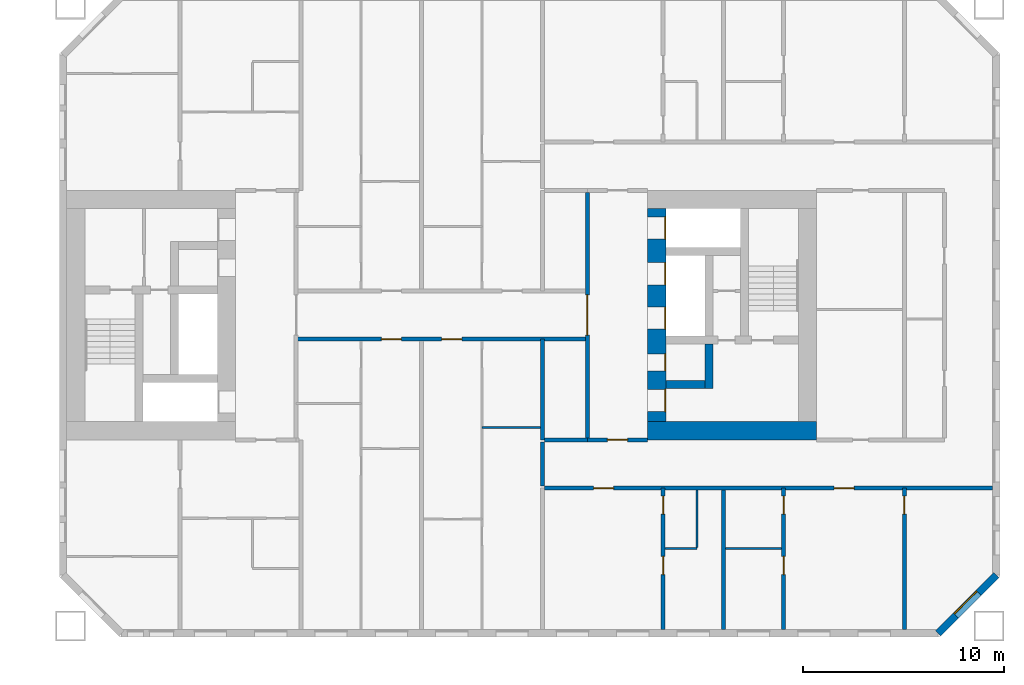
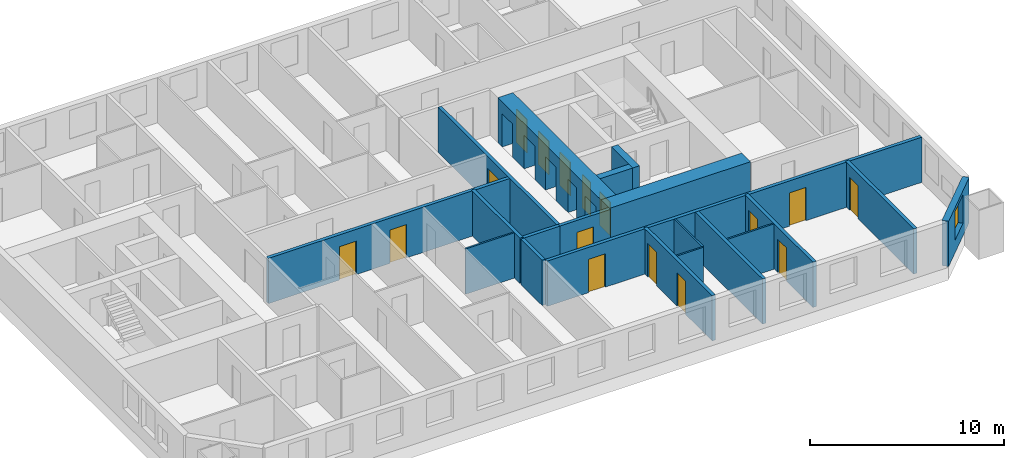
# One storey, part 11 of 16: 20 walls, 16 doors, 1 window, 17 openings.
"""IFC4 building model written with IfcOpenShell, lengths in metres."""

from ifc_helpers import new_model, si_unit, direction, frame, frame_2d, origin, place, context, subcontext, project, spatial, rectangle, extrude, material, layer, layer_set, type_object, element, fill, save


model = new_model("IFC4")

# Units and contexts
model_context = context("Model", 3, precision=1e-05, world=origin(), true_north=direction((0.0, 1.0)))
body_context = subcontext(model_context, "Body", "Model", "MODEL_VIEW")
ifc_project = project(units=[si_unit("LENGTHUNIT", "METRE"), si_unit("AREAUNIT", "SQUARE_METRE"), si_unit("VOLUMEUNIT", "CUBIC_METRE"), si_unit("PLANEANGLEUNIT", "RADIAN"), si_unit("MASSUNIT", "GRAM", prefix="KILO")], contexts=[model_context])

# Site, building, storey
site_placement = place(None, origin())
site = spatial("IfcSite", under=ifc_project, at=site_placement, CompositionType="ELEMENT")
building_placement = place(site_placement, origin())
building = spatial("IfcBuilding", under=site, at=building_placement, Name="Tuart Gate Housing", CompositionType="ELEMENT")
storey_placement = place(building_placement, frame((0.0, 0.0, 19.5)))
storey = spatial("IfcBuildingStorey", under=building, at=storey_placement, Name="L04", CompositionType="ELEMENT", Elevation=19.5)

# Wall, opening, window
ifc_material_1 = material(Name="Brick", Category="masonry")
ifc_layer_1 = layer(ifc_material_1, 0.360107421875)
ifc_layer_set_1 = layer_set([ifc_layer_1], Name="Brick pier and spandrel wall 360")
wall_type_1 = type_object("IfcWallType", Name="Brick pier and spandrel wall 360", PredefinedType="STANDARD", material=ifc_layer_set_1)
wall_1_placement = place(storey_placement, frame((174.67529296875, 54.179931640625, 0.0), z_axis=(0.0, 0.0, 1.0), x_axis=(0.707106781187, 0.707106781187, 0.0)))
wall_1 = element("IfcWall", 1, at=wall_1_placement, inside=storey, type_object=wall_type_1, Name="External wall B-SE L04", PredefinedType="STANDARD", context=body_context, shape_type="SweptSolid", body=[
    extrude(rectangle(XDim=4.09375, YDim=0.360107421875, at=frame_2d((2.046875, 0.0))), origin(), (0.0, 0.0, 1.0), 2.85009765625),
])
opening_1_placement = place(wall_1_placement, frame((1.2470703125, 0.0, 0.800048828125)))
opening_1 = element("IfcOpeningElement", 2, at=opening_1_placement, cuts=wall_1, Name="Opening W1", PredefinedType="OPENING", context=body_context, shape_type="SweptSolid", body=[
    extrude(rectangle(XDim=1.60009765625, YDim=1.800048828125, at=frame_2d((0.800048828125, 0.89990234375))), frame((0.0, 0.18994140625, 0.0), z_axis=(0.0, -1.0, 0.0), x_axis=(1.0, 0.0, 0.0)), (0.0, 0.0, 1.0), 0.380126953125),
])
ifc_material_2 = material(Name="Aluminium frame with clear glass", Category="aluminium")
window_type = type_object("IfcWindowType", Name="Punched window 1600 x 1800", PartitioningType="SINGLE_PANEL", PredefinedType="WINDOW", material=ifc_material_2)
window_placement = place(opening_1_placement, origin())
window = element("IfcWindow", 3, at=window_placement, inside=storey, type_object=window_type, Name="Window W1", OverallHeight=1.800048828125, OverallWidth=1.60009765625, PartitioningType="SINGLE_PANEL", PredefinedType="WINDOW", context=body_context, shape_type="SweptSolid", body=[
    extrude(rectangle(XDim=1.60009765625, YDim=1.800048828125, at=frame_2d((0.800048828125, 0.89990234375))), frame((0.0, 0.150146484375, 0.0), z_axis=(0.0, -1.0, 0.0), x_axis=(1.0, 0.0, 0.0)), (0.0, 0.0, 1.0), 0.06005859375),
])
fill(opening_1, window)

# Walls
ifc_material_3 = material(Name="Concrete C60", Category="concrete")
ifc_layer_2 = layer(ifc_material_3, 0.39990234375)
ifc_layer_set_2 = layer_set([ifc_layer_2], Name="Core wall 400 C60")
wall_type_2 = type_object("IfcWallType", Name="Core wall 400 C60", PredefinedType="SHEAR", material=ifc_layer_set_2)
wall_2_placement = place(storey_placement, frame((161.139892578125, 66.550048828125, 0.0), z_axis=(0.0, 0.0, 1.0), x_axis=(1.0, 0.0, 0.0)))
element("IfcWall", 4, at=wall_2_placement, inside=storey, type_object=wall_type_2, Name="Core wall BK.4", PredefinedType="SHEAR", context=body_context, shape_type="SweptSolid", body=[
    extrude(rectangle(XDim=1.9501953125, YDim=0.39990234375, at=frame_2d((0.97509765625, 0.0))), origin(), (0.0, 0.0, 1.0), 2.85009765625),
])
wall_3_placement = place(storey_placement, frame((163.2900390625, 68.550048828125, 0.0), z_axis=(0.0, 0.0, 1.0), x_axis=(0.0, -1.0, 0.0)))
element("IfcWall", 5, at=wall_3_placement, inside=storey, type_object=wall_type_2, Name="Core wall BK.6", PredefinedType="SHEAR", context=body_context, shape_type="SweptSolid", body=[
    extrude(rectangle(XDim=2.199951171875, YDim=0.39990234375, at=frame_2d((1.10009765625, 0.0))), origin(), (0.0, 0.0, 1.0), 2.85009765625),
])

# Wall, openings, doors
ifc_material_4 = material(Name="Concrete C60", Category="concrete")
ifc_layer_3 = layer(ifc_material_4, 0.89990234375)
ifc_layer_set_3 = layer_set([ifc_layer_3], Name="Core wall 900 C60")
wall_type_3 = type_object("IfcWallType", Name="Core wall 900 C60", PredefinedType="SHEAR", material=ifc_layer_set_3)
wall_4_placement = place(storey_placement, frame((160.68994140625, 75.300048828125, 0.0), z_axis=(0.0, 0.0, 1.0), x_axis=(0.0, -1.0, 0.0)))
wall_4 = element("IfcWall", 6, at=wall_4_placement, inside=storey, type_object=wall_type_3, Name="Core wall BK front", PredefinedType="SHEAR", context=body_context, shape_type="SweptSolid", body=[
    extrude(rectangle(XDim=10.60009765625, YDim=0.89990234375, at=frame_2d((5.300048828125, 0.0))), origin(), (0.0, 0.0, 1.0), 2.85009765625),
])
opening_2_placement = place(wall_4_placement, frame((0.425048828125, 0.0, 0.0)))
opening_2 = element("IfcOpeningElement", 7, at=opening_2_placement, cuts=wall_4, Name="Opening LD-FB2", PredefinedType="OPENING", context=body_context, shape_type="SweptSolid", body=[
    extrude(rectangle(XDim=1.10009765625, YDim=2.10009765625, at=frame_2d((0.550048828125, 1.050048828125))), frame((0.0, 0.4599609375, 0.0), z_axis=(0.0, -1.0, 0.0), x_axis=(1.0, 0.0, 0.0)), (0.0, 0.0, 1.0), 0.919921875),
])
opening_3_placement = place(wall_4_placement, frame((2.699951171875, 0.0, 0.0)))
opening_3 = element("IfcOpeningElement", 8, at=opening_3_placement, cuts=wall_4, Name="Opening LD-LB3", PredefinedType="OPENING", context=body_context, shape_type="SweptSolid", body=[
    extrude(rectangle(XDim=1.10009765625, YDim=2.10009765625, at=frame_2d((0.550048828125, 1.050048828125))), frame((0.0, 0.4599609375, 0.0), z_axis=(0.0, -1.0, 0.0), x_axis=(1.0, 0.0, 0.0)), (0.0, 0.0, 1.0), 0.919921875),
])
opening_4_placement = place(wall_4_placement, frame((4.89990234375, 0.0, 0.0)))
opening_4 = element("IfcOpeningElement", 9, at=opening_4_placement, cuts=wall_4, Name="Opening LD-LB4", PredefinedType="OPENING", context=body_context, shape_type="SweptSolid", body=[
    extrude(rectangle(XDim=1.10009765625, YDim=2.10009765625, at=frame_2d((0.550048828125, 1.050048828125))), frame((0.0, 0.4599609375, 0.0), z_axis=(0.0, -1.0, 0.0), x_axis=(1.0, 0.0, 0.0)), (0.0, 0.0, 1.0), 0.919921875),
])
opening_5_placement = place(wall_4_placement, frame((9.0, 0.0, 0.0)))
opening_5 = element("IfcOpeningElement", 10, at=opening_5_placement, cuts=wall_4, Name="Opening D439", PredefinedType="OPENING", context=body_context, shape_type="SweptSolid", body=[
    extrude(rectangle(XDim=1.10009765625, YDim=2.10009765625, at=frame_2d((0.550048828125, 1.050048828125))), frame((0.0, 0.4599609375, 0.0), z_axis=(0.0, -1.0, 0.0), x_axis=(1.0, 0.0, 0.0)), (0.0, 0.0, 1.0), 0.919921875),
])
opening_6_placement = place(wall_4_placement, frame((7.22509765625, 0.0, 0.0)))
opening_6 = element("IfcOpeningElement", 11, at=opening_6_placement, cuts=wall_4, Name="Opening D440", PredefinedType="OPENING", context=body_context, shape_type="SweptSolid", body=[
    extrude(rectangle(XDim=0.85009765625, YDim=2.10009765625, at=frame_2d((0.425048828125, 1.050048828125))), frame((0.0, 0.4599609375, 0.0), z_axis=(0.0, -1.0, 0.0), x_axis=(1.0, 0.0, 0.0)), (0.0, 0.0, 1.0), 0.919921875),
])
ifc_material_5 = material(Name="Stainless steel", Category="steel")
door_type_1 = type_object("IfcDoorType", Name="Landing door 1100 x 2100", OperationType="DOUBLE_DOOR_SLIDING", PredefinedType="DOOR", material=ifc_material_5)
door_1_placement = place(opening_2_placement, origin())
door_1 = element("IfcDoor", 12, at=door_1_placement, inside=storey, type_object=door_type_1, Name="Lift landing door FB2", OperationType="DOUBLE_DOOR_SLIDING", OverallHeight=2.10009765625, OverallWidth=1.10009765625, PredefinedType="DOOR", context=body_context, shape_type="SweptSolid", body=[
    extrude(rectangle(XDim=1.10009765625, YDim=2.10009765625, at=frame_2d((0.550048828125, 1.050048828125))), frame((0.0, 0.43505859375, 0.0), z_axis=(0.0, -1.0, 0.0), x_axis=(1.0, 0.0, 0.0)), (0.0, 0.0, 1.0), 0.050048828125),
])
fill(opening_2, door_1)
door_2_placement = place(opening_3_placement, origin())
door_2 = element("IfcDoor", 13, at=door_2_placement, inside=storey, type_object=door_type_1, Name="Lift landing door LB3", OperationType="DOUBLE_DOOR_SLIDING", OverallHeight=2.10009765625, OverallWidth=1.10009765625, PredefinedType="DOOR", context=body_context, shape_type="SweptSolid", body=[
    extrude(rectangle(XDim=1.10009765625, YDim=2.10009765625, at=frame_2d((0.550048828125, 1.050048828125))), frame((0.0, 0.43505859375, 0.0), z_axis=(0.0, -1.0, 0.0), x_axis=(1.0, 0.0, 0.0)), (0.0, 0.0, 1.0), 0.050048828125),
])
fill(opening_3, door_2)
door_3_placement = place(opening_4_placement, origin())
door_3 = element("IfcDoor", 14, at=door_3_placement, inside=storey, type_object=door_type_1, Name="Lift landing door LB4", OperationType="DOUBLE_DOOR_SLIDING", OverallHeight=2.10009765625, OverallWidth=1.10009765625, PredefinedType="DOOR", context=body_context, shape_type="SweptSolid", body=[
    extrude(rectangle(XDim=1.10009765625, YDim=2.10009765625, at=frame_2d((0.550048828125, 1.050048828125))), frame((0.0, 0.43505859375, 0.0), z_axis=(0.0, -1.0, 0.0), x_axis=(1.0, 0.0, 0.0)), (0.0, 0.0, 1.0), 0.050048828125),
])
fill(opening_4, door_3)
ifc_material_6 = material(Name="Steel fire door", Category="steel")
door_type_2 = type_object("IfcDoorType", Name="Lobby door 1100 x 2100", OperationType="SINGLE_SWING_LEFT", PredefinedType="DOOR", material=ifc_material_6)
door_4_placement = place(opening_5_placement, origin())
door_4 = element("IfcDoor", 15, at=door_4_placement, inside=storey, type_object=door_type_2, Name="Lobby entry door BK.EN", OperationType="SINGLE_SWING_LEFT", OverallHeight=2.10009765625, OverallWidth=1.10009765625, PredefinedType="DOOR", context=body_context, shape_type="SweptSolid", body=[
    extrude(rectangle(XDim=1.10009765625, YDim=2.10009765625, at=frame_2d((0.550048828125, 1.050048828125))), frame((0.0, 0.43505859375, 0.0), z_axis=(0.0, -1.0, 0.0), x_axis=(1.0, 0.0, 0.0)), (0.0, 0.0, 1.0), 0.050048828125),
])
fill(opening_5, door_4)
ifc_material_7 = material(Name="Steel fire door", Category="steel")
door_type_3 = type_object("IfcDoorType", Name="Service door 850 x 2100", OperationType="SINGLE_SWING_LEFT", PredefinedType="DOOR", material=ifc_material_7)
door_5_placement = place(opening_6_placement, origin())
door_5 = element("IfcDoor", 16, at=door_5_placement, inside=storey, type_object=door_type_3, Name="Service room door BK.T1", OperationType="SINGLE_SWING_LEFT", OverallHeight=2.10009765625, OverallWidth=0.85009765625, PredefinedType="DOOR", context=body_context, shape_type="SweptSolid", body=[
    extrude(rectangle(XDim=0.85009765625, YDim=2.10009765625, at=frame_2d((0.425048828125, 1.050048828125))), frame((0.0, 0.43505859375, 0.0), z_axis=(0.0, -1.0, 0.0), x_axis=(1.0, 0.0, 0.0)), (0.0, 0.0, 1.0), 0.050048828125),
])
fill(opening_6, door_5)

# Wall
wall_5_placement = place(storey_placement, frame((160.239990234375, 64.25, 0.0), z_axis=(0.0, 0.0, 1.0), x_axis=(1.0, 0.0, 0.0)))
element("IfcWall", 17, at=wall_5_placement, inside=storey, type_object=wall_type_3, Name="Core wall BK north", PredefinedType="SHEAR", context=body_context, shape_type="SweptSolid", body=[
    extrude(rectangle(XDim=8.39990234375, YDim=0.89990234375, at=frame_2d((4.199951171875, 0.0))), origin(), (0.0, 0.0, 1.0), 2.85009765625),
])

# Wall, openings, doors
ifc_material_8 = material(Name="Concrete masonry 15 MPa", Category="masonry")
ifc_layer_4 = layer(ifc_material_8, 0.199951171875)
ifc_layer_set_4 = layer_set([ifc_layer_4], Name="Corridor wall masonry 200")
wall_type_4 = type_object("IfcWallType", Name="Corridor wall masonry 200", PredefinedType="PARTITIONING", material=ifc_layer_set_4)
wall_6_placement = place(storey_placement, frame((155.10009765625, 61.39990234375, 0.0), z_axis=(0.0, 0.0, 1.0), x_axis=(1.0, 0.0, 0.0)))
wall_6 = element("IfcWall", 18, at=wall_6_placement, inside=storey, type_object=wall_type_4, Name="Corridor wall masonry 200", PredefinedType="PARTITIONING", context=body_context, shape_type="SweptSolid", body=[
    extrude(rectangle(XDim=22.289794921875, YDim=0.199951171875, at=frame_2d((11.14501953125, 0.0))), origin(), (0.0, 0.0, 1.0), 2.85009765625),
])
opening_7_placement = place(wall_6_placement, frame((2.449951171875, 0.0, 0.0)))
opening_7 = element("IfcOpeningElement", 19, at=opening_7_placement, cuts=wall_6, Name="Opening D455", PredefinedType="OPENING", context=body_context, shape_type="SweptSolid", body=[
    extrude(rectangle(XDim=1.0, YDim=2.10009765625, at=frame_2d((0.5, 1.050048828125))), frame((0.0, 0.10986328125, 0.0), z_axis=(0.0, -1.0, 0.0), x_axis=(1.0, 0.0, 0.0)), (0.0, 0.0, 1.0), 0.219970703125),
])
opening_8_placement = place(wall_6_placement, frame((14.39990234375, 0.0, 0.0)))
opening_8 = element("IfcOpeningElement", 20, at=opening_8_placement, cuts=wall_6, Name="Opening D456", PredefinedType="OPENING", context=body_context, shape_type="SweptSolid", body=[
    extrude(rectangle(XDim=1.0, YDim=2.10009765625, at=frame_2d((0.5, 1.050048828125))), frame((0.0, 0.10986328125, 0.0), z_axis=(0.0, -1.0, 0.0), x_axis=(1.0, 0.0, 0.0)), (0.0, 0.0, 1.0), 0.219970703125),
])
ifc_material_9 = material(Name="Timber door leaf in steel frame", Category="steel")
door_type_4 = type_object("IfcDoorType", Name="Flat entrance door 1000", OperationType="SINGLE_SWING_LEFT", PredefinedType="DOOR", material=ifc_material_9)
door_6_placement = place(opening_7_placement, frame((1.0, 0.0, 0.0), z_axis=(0.0, 0.0, 1.0), x_axis=(-1.0, 0.0, 0.0)))
door_6 = element("IfcDoor", 21, at=door_6_placement, inside=storey, type_object=door_type_4, Name="Flat entrance door", OperationType="SINGLE_SWING_LEFT", OverallHeight=2.10009765625, OverallWidth=1.0, PredefinedType="DOOR", context=body_context, shape_type="SweptSolid", body=[
    extrude(rectangle(XDim=1.0, YDim=2.10009765625, at=frame_2d((0.5, 1.050048828125))), frame((0.0, 0.025146484375, 0.0), z_axis=(0.0, -1.0, 0.0), x_axis=(1.0, 0.0, 0.0)), (0.0, 0.0, 1.0), 0.050048828125),
])
fill(opening_7, door_6)
ifc_material_10 = material(Name="Timber door leaf in steel frame", Category="steel")
door_type_5 = type_object("IfcDoorType", Name="Flat entrance door 1000 RH", OperationType="SINGLE_SWING_RIGHT", PredefinedType="DOOR", material=ifc_material_10)
door_7_placement = place(opening_8_placement, frame((1.0, 0.0, 0.0), z_axis=(0.0, 0.0, 1.0), x_axis=(-1.0, 0.0, 0.0)))
door_7 = element("IfcDoor", 22, at=door_7_placement, inside=storey, type_object=door_type_5, Name="Flat entrance door", OperationType="SINGLE_SWING_RIGHT", OverallHeight=2.10009765625, OverallWidth=1.0, PredefinedType="DOOR", context=body_context, shape_type="SweptSolid", body=[
    extrude(rectangle(XDim=1.0, YDim=2.10009765625, at=frame_2d((0.5, 1.050048828125))), frame((0.0, 0.025146484375, 0.0), z_axis=(0.0, -1.0, 0.0), x_axis=(1.0, 0.0, 0.0)), (0.0, 0.0, 1.0), 0.050048828125),
])
fill(opening_8, door_7)

# Wall
wall_7_placement = place(storey_placement, frame((155.10009765625, 63.800048828125, 0.0), z_axis=(0.0, 0.0, 1.0), x_axis=(1.0, 0.0, 0.0)))
element("IfcWall", 23, at=wall_7_placement, inside=storey, type_object=wall_type_4, Name="Corridor wall masonry 200", PredefinedType="PARTITIONING", context=body_context, shape_type="SweptSolid", body=[
    extrude(rectangle(XDim=2.139892578125, YDim=0.199951171875, at=frame_2d((1.06982421875, 0.0))), origin(), (0.0, 0.0, 1.0), 2.85009765625),
])

# Wall, openings, doors
wall_8_placement = place(storey_placement, frame((142.760009765625, 68.800048828125, 0.0), z_axis=(0.0, 0.0, 1.0), x_axis=(1.0, 0.0, 0.0)))
wall_8 = element("IfcWall", 24, at=wall_8_placement, inside=storey, type_object=wall_type_4, Name="Corridor wall masonry 200", PredefinedType="PARTITIONING", context=body_context, shape_type="SweptSolid", body=[
    extrude(rectangle(XDim=14.47998046875, YDim=0.199951171875, at=frame_2d((7.239990234375, 0.0))), origin(), (0.0, 0.0, 1.0), 2.85009765625),
])
opening_9_placement = place(wall_8_placement, frame((4.239990234375, 0.0, 0.0)))
opening_9 = element("IfcOpeningElement", 25, at=opening_9_placement, cuts=wall_8, Name="Opening D443", PredefinedType="OPENING", context=body_context, shape_type="SweptSolid", body=[
    extrude(rectangle(XDim=1.0, YDim=2.10009765625, at=frame_2d((0.5, 1.050048828125))), frame((0.0, 0.10986328125, 0.0), z_axis=(0.0, -1.0, 0.0), x_axis=(1.0, 0.0, 0.0)), (0.0, 0.0, 1.0), 0.219970703125),
])
opening_10_placement = place(wall_8_placement, frame((7.239990234375, 0.0, 0.0)))
opening_10 = element("IfcOpeningElement", 26, at=opening_10_placement, cuts=wall_8, Name="Opening D444", PredefinedType="OPENING", context=body_context, shape_type="SweptSolid", body=[
    extrude(rectangle(XDim=1.0, YDim=2.10009765625, at=frame_2d((0.5, 1.050048828125))), frame((0.0, 0.10986328125, 0.0), z_axis=(0.0, -1.0, 0.0), x_axis=(1.0, 0.0, 0.0)), (0.0, 0.0, 1.0), 0.219970703125),
])
door_8_placement = place(opening_9_placement, frame((1.0, 0.0, 0.0), z_axis=(0.0, 0.0, 1.0), x_axis=(-1.0, 0.0, 0.0)))
door_8 = element("IfcDoor", 27, at=door_8_placement, inside=storey, type_object=door_type_5, Name="Flat entrance door", OperationType="SINGLE_SWING_RIGHT", OverallHeight=2.10009765625, OverallWidth=1.0, PredefinedType="DOOR", context=body_context, shape_type="SweptSolid", body=[
    extrude(rectangle(XDim=1.0, YDim=2.10009765625, at=frame_2d((0.5, 1.050048828125))), frame((0.0, 0.025146484375, 0.0), z_axis=(0.0, -1.0, 0.0), x_axis=(1.0, 0.0, 0.0)), (0.0, 0.0, 1.0), 0.050048828125),
])
fill(opening_9, door_8)
door_9_placement = place(opening_10_placement, frame((1.0, 0.0, 0.0), z_axis=(0.0, 0.0, 1.0), x_axis=(-1.0, 0.0, 0.0)))
door_9 = element("IfcDoor", 28, at=door_9_placement, inside=storey, type_object=door_type_5, Name="Flat entrance door", OperationType="SINGLE_SWING_RIGHT", OverallHeight=2.10009765625, OverallWidth=1.0, PredefinedType="DOOR", context=body_context, shape_type="SweptSolid", body=[
    extrude(rectangle(XDim=1.0, YDim=2.10009765625, at=frame_2d((0.5, 1.050048828125))), frame((0.0, 0.025146484375, 0.0), z_axis=(0.0, -1.0, 0.0), x_axis=(1.0, 0.0, 0.0)), (0.0, 0.0, 1.0), 0.050048828125),
])
fill(opening_10, door_9)

# Wall
wall_9_placement = place(storey_placement, frame((155.0, 61.5, 0.0), z_axis=(0.0, 0.0, 1.0), x_axis=(0.0, 1.0, 0.0)))
element("IfcWall", 29, at=wall_9_placement, inside=storey, type_object=wall_type_4, Name="Corridor wall masonry 200", PredefinedType="PARTITIONING", context=body_context, shape_type="SweptSolid", body=[
    extrude(rectangle(XDim=2.199951171875, YDim=0.199951171875, at=frame_2d((1.10009765625, 0.0))), origin(), (0.0, 0.0, 1.0), 2.85009765625),
])

# Wall, opening, door
ifc_material_11 = material(Name="Concrete masonry 15 MPa", Category="masonry")
ifc_layer_5 = layer(ifc_material_11, 0.199951171875)
ifc_layer_set_5 = layer_set([ifc_layer_5], Name="Enclosure wall masonry 200")
wall_type_5 = type_object("IfcWallType", Name="Enclosure wall masonry 200", PredefinedType="PARTITIONING", material=ifc_layer_set_5)
wall_10_placement = place(storey_placement, frame((157.239990234375, 63.800048828125, 0.0), z_axis=(0.0, 0.0, 1.0), x_axis=(1.0, 0.0, 0.0)))
wall_10 = element("IfcWall", 30, at=wall_10_placement, inside=storey, type_object=wall_type_5, Name="Enclosure wall masonry 200", PredefinedType="PARTITIONING", context=body_context, shape_type="SweptSolid", body=[
    extrude(rectangle(XDim=3.0, YDim=0.199951171875, at=frame_2d((1.5, 0.0))), origin(), (0.0, 0.0, 1.0), 2.85009765625),
])
opening_11_placement = place(wall_10_placement, frame((1.0, 0.0, 0.0)))
opening_11 = element("IfcOpeningElement", 31, at=opening_11_placement, cuts=wall_10, Name="Opening D448", PredefinedType="OPENING", context=body_context, shape_type="SweptSolid", body=[
    extrude(rectangle(XDim=1.0, YDim=2.10009765625, at=frame_2d((0.5, 1.050048828125))), frame((0.0, 0.10986328125, 0.0), z_axis=(0.0, -1.0, 0.0), x_axis=(1.0, 0.0, 0.0)), (0.0, 0.0, 1.0), 0.219970703125),
])
ifc_material_12 = material(Name="Timber door leaf in steel frame", Category="steel")
door_type_6 = type_object("IfcDoorType", Name="Fire door 1000 RH", OperationType="SINGLE_SWING_RIGHT", PredefinedType="DOOR", material=ifc_material_12)
door_10_placement = place(opening_11_placement, frame((1.0, 0.0, 0.0), z_axis=(0.0, 0.0, 1.0), x_axis=(-1.0, 0.0, 0.0)))
door_10 = element("IfcDoor", 32, at=door_10_placement, inside=storey, type_object=door_type_6, Name="Fire door", OperationType="SINGLE_SWING_RIGHT", OverallHeight=2.10009765625, OverallWidth=1.0, PredefinedType="DOOR", context=body_context, shape_type="SweptSolid", body=[
    extrude(rectangle(XDim=1.0, YDim=2.10009765625, at=frame_2d((0.5, 1.050048828125))), frame((0.0, 0.025146484375, 0.0), z_axis=(0.0, -1.0, 0.0), x_axis=(1.0, 0.0, 0.0)), (0.0, 0.0, 1.0), 0.050048828125),
])
fill(opening_11, door_10)

ifc_material_13 = material(Name="Plasterboard partition")
ifc_layer_6 = layer(ifc_material_13, 0.199951171875)
ifc_layer_set_6 = layer_set([ifc_layer_6], Name="Lobby wall 200")
wall_type_6 = type_object("IfcWallType", Name="Lobby wall 200", PredefinedType="PARTITIONING", material=ifc_layer_set_6)
wall_11_placement = place(storey_placement, frame((157.239990234375, 63.89990234375, 0.0), z_axis=(0.0, 0.0, 1.0), x_axis=(0.0, 1.0, 0.0)))
wall_11 = element("IfcWall", 33, at=wall_11_placement, inside=storey, type_object=wall_type_6, Name="Lift lobby wall BK", PredefinedType="PARTITIONING", context=body_context, shape_type="SweptSolid", body=[
    extrude(rectangle(XDim=12.2001953125, YDim=0.199951171875, at=frame_2d((6.10009765625, 0.0))), origin(), (0.0, 0.0, 1.0), 2.85009765625),
])
opening_12_placement = place(wall_11_placement, frame((5.10009765625, 0.0, 0.0)))
opening_12 = element("IfcOpeningElement", 34, at=opening_12_placement, cuts=wall_11, Name="Opening D438", PredefinedType="OPENING", context=body_context, shape_type="SweptSolid", body=[
    extrude(rectangle(XDim=2.0, YDim=2.10009765625, at=frame_2d((1.0, 1.050048828125))), frame((0.0, 0.10986328125, 0.0), z_axis=(0.0, -1.0, 0.0), x_axis=(1.0, 0.0, 0.0)), (0.0, 0.0, 1.0), 0.219970703125),
])
ifc_material_14 = material(Name="Steel fire door", Category="steel")
door_type_7 = type_object("IfcDoorType", Name="Smoke door 2000 x 2100", OperationType="DOUBLE_DOOR_SINGLE_SWING", PredefinedType="DOOR", material=ifc_material_14)
door_11_placement = place(opening_12_placement, frame((2.0, 0.0, 0.0), z_axis=(0.0, 0.0, 1.0), x_axis=(-1.0, 0.0, 0.0)))
door_11 = element("IfcDoor", 35, at=door_11_placement, inside=storey, type_object=door_type_7, Name="Lift lobby smoke door BK", OperationType="DOUBLE_DOOR_SINGLE_SWING", OverallHeight=2.10009765625, OverallWidth=2.0, PredefinedType="DOOR", context=body_context, shape_type="SweptSolid", body=[
    extrude(rectangle(XDim=2.0, YDim=2.10009765625, at=frame_2d((1.0, 1.050048828125))), frame((0.0, 0.025146484375, 0.0), z_axis=(0.0, -1.0, 0.0), x_axis=(1.0, 0.0, 0.0)), (0.0, 0.0, 1.0), 0.050048828125),
])
fill(opening_12, door_11)

# Walls
ifc_material_15 = material(Name="Gypsum board on steel studs", Category="steel")
ifc_layer_7 = layer(ifc_material_15, 0.10009765625)
ifc_layer_set_7 = layer_set([ifc_layer_7], Name="Partition 100")
wall_type_7 = type_object("IfcWallType", Name="Partition 100", PredefinedType="PARTITIONING", material=ifc_layer_set_7)
wall_12_placement = place(storey_placement, frame((161.10009765625, 58.39990234375, 0.0), z_axis=(0.0, 0.0, 1.0), x_axis=(1.0, 0.0, 0.0)))
element("IfcWall", 36, at=wall_12_placement, inside=storey, type_object=wall_type_7, Name="Partition 100", PredefinedType="PARTITIONING", context=body_context, shape_type="SweptSolid", body=[
    extrude(rectangle(XDim=1.599853515625, YDim=0.10009765625, at=frame_2d((0.7998046875, 0.0))), origin(), (0.0, 0.0, 1.0), 2.85009765625),
])
wall_13_placement = place(storey_placement, frame((164.10009765625, 58.39990234375, 0.0), z_axis=(0.0, 0.0, 1.0), x_axis=(1.0, 0.0, 0.0)))
element("IfcWall", 37, at=wall_13_placement, inside=storey, type_object=wall_type_7, Name="Partition 100", PredefinedType="PARTITIONING", context=body_context, shape_type="SweptSolid", body=[
    extrude(rectangle(XDim=2.7998046875, YDim=0.10009765625, at=frame_2d((1.39990234375, 0.0))), origin(), (0.0, 0.0, 1.0), 2.85009765625),
])
wall_14_placement = place(storey_placement, frame((152.0, 64.39990234375, 0.0), z_axis=(0.0, 0.0, 1.0), x_axis=(1.0, 0.0, 0.0)))
element("IfcWall", 38, at=wall_14_placement, inside=storey, type_object=wall_type_7, Name="Partition 100", PredefinedType="PARTITIONING", context=body_context, shape_type="SweptSolid", body=[
    extrude(rectangle(XDim=2.89990234375, YDim=0.10009765625, at=frame_2d((1.449951171875, 0.0))), origin(), (0.0, 0.0, 1.0), 2.85009765625),
])
wall_15_placement = place(storey_placement, frame((162.699951171875, 58.449951171875, 0.0), z_axis=(0.0, 0.0, 1.0), x_axis=(0.0, 1.0, 0.0)))
element("IfcWall", 39, at=wall_15_placement, inside=storey, type_object=wall_type_7, Name="Partition 100", PredefinedType="PARTITIONING", context=body_context, shape_type="SweptSolid", body=[
    extrude(rectangle(XDim=2.85009765625, YDim=0.10009765625, at=frame_2d((1.425048828125, 0.0))), origin(), (0.0, 0.0, 1.0), 2.85009765625),
])
ifc_material_16 = material(Name="Concrete C40", Category="concrete")
ifc_layer_8 = layer(ifc_material_16, 0.199951171875)
ifc_layer_set_8 = layer_set([ifc_layer_8], Name="Party wall concrete C40 200")
wall_type_8 = type_object("IfcWallType", Name="Party wall concrete C40 200", PredefinedType="SOLIDWALL", material=ifc_layer_set_8)
wall_16_placement = place(storey_placement, frame((155.0, 63.800048828125, 0.0), z_axis=(0.0, 0.0, 1.0), x_axis=(0.0, 1.0, 0.0)))
element("IfcWall", 40, at=wall_16_placement, inside=storey, type_object=wall_type_8, Name="Party wall concrete C40 200", PredefinedType="SOLIDWALL", context=body_context, shape_type="SweptSolid", body=[
    extrude(rectangle(XDim=5.0, YDim=0.199951171875, at=frame_2d((2.5, 0.0))), origin(), (0.0, 0.0, 1.0), 2.85009765625),
])

# Wall, openings, doors
wall_17_placement = place(storey_placement, frame((161.0, 54.360107421875, 0.0), z_axis=(0.0, 0.0, 1.0), x_axis=(0.0, 1.0, 0.0)))
wall_17 = element("IfcWall", 41, at=wall_17_placement, inside=storey, type_object=wall_type_8, Name="Party wall concrete C40 200", PredefinedType="SOLIDWALL", context=body_context, shape_type="SweptSolid", body=[
    extrude(rectangle(XDim=7.039794921875, YDim=0.199951171875, at=frame_2d((3.52001953125, 0.0))), origin(), (0.0, 0.0, 1.0), 2.85009765625),
])
opening_13_placement = place(wall_17_placement, frame((2.739990234375, 0.0, 0.0)))
opening_13 = element("IfcOpeningElement", 42, at=opening_13_placement, cuts=wall_17, Name="Opening D463", PredefinedType="OPENING", context=body_context, shape_type="SweptSolid", body=[
    extrude(rectangle(XDim=0.89990234375, YDim=2.10009765625, at=frame_2d((0.449951171875, 1.050048828125))), frame((0.0, 0.10986328125, 0.0), z_axis=(0.0, -1.0, 0.0), x_axis=(1.0, 0.0, 0.0)), (0.0, 0.0, 1.0), 0.219970703125),
])
opening_14_placement = place(wall_17_placement, frame((5.739990234375, 0.0, 0.0)))
opening_14 = element("IfcOpeningElement", 43, at=opening_14_placement, cuts=wall_17, Name="Opening D462", PredefinedType="OPENING", context=body_context, shape_type="SweptSolid", body=[
    extrude(rectangle(XDim=0.89990234375, YDim=2.10009765625, at=frame_2d((0.449951171875, 1.050048828125))), frame((0.0, 0.10986328125, 0.0), z_axis=(0.0, -1.0, 0.0), x_axis=(1.0, 0.0, 0.0)), (0.0, 0.0, 1.0), 0.219970703125),
])
ifc_material_17 = material(Name="Timber door leaf in steel frame", Category="steel")
door_type_8 = type_object("IfcDoorType", Name="Bathroom door 900", OperationType="SINGLE_SWING_LEFT", PredefinedType="DOOR", material=ifc_material_17)
door_12_placement = place(opening_14_placement, frame((0.89990234375, 0.0, 0.0), z_axis=(0.0, 0.0, 1.0), x_axis=(-1.0, 0.0, 0.0)))
door_12 = element("IfcDoor", 44, at=door_12_placement, inside=storey, type_object=door_type_8, Name="Bathroom door", OperationType="SINGLE_SWING_LEFT", OverallHeight=2.10009765625, OverallWidth=0.89990234375, PredefinedType="DOOR", context=body_context, shape_type="SweptSolid", body=[
    extrude(rectangle(XDim=0.89990234375, YDim=2.10009765625, at=frame_2d((0.449951171875, 1.050048828125))), frame((0.0, 0.025146484375, 0.0), z_axis=(0.0, -1.0, 0.0), x_axis=(1.0, 0.0, 0.0)), (0.0, 0.0, 1.0), 0.050048828125),
])
fill(opening_14, door_12)
ifc_material_18 = material(Name="Timber door leaf in steel frame", Category="steel")
door_type_9 = type_object("IfcDoorType", Name="Internal door 900", OperationType="SINGLE_SWING_LEFT", PredefinedType="DOOR", material=ifc_material_18)
door_13_placement = place(opening_13_placement, frame((0.89990234375, 0.0, 0.0), z_axis=(0.0, 0.0, 1.0), x_axis=(-1.0, 0.0, 0.0)))
door_13 = element("IfcDoor", 45, at=door_13_placement, inside=storey, type_object=door_type_9, Name="Internal door", OperationType="SINGLE_SWING_LEFT", OverallHeight=2.10009765625, OverallWidth=0.89990234375, PredefinedType="DOOR", context=body_context, shape_type="SweptSolid", body=[
    extrude(rectangle(XDim=0.89990234375, YDim=2.10009765625, at=frame_2d((0.449951171875, 1.050048828125))), frame((0.0, 0.025146484375, 0.0), z_axis=(0.0, -1.0, 0.0), x_axis=(1.0, 0.0, 0.0)), (0.0, 0.0, 1.0), 0.050048828125),
])
fill(opening_13, door_13)

wall_18_placement = place(storey_placement, frame((167.0, 54.360107421875, 0.0), z_axis=(0.0, 0.0, 1.0), x_axis=(0.0, 1.0, 0.0)))
wall_18 = element("IfcWall", 46, at=wall_18_placement, inside=storey, type_object=wall_type_8, Name="Party wall concrete C40 200", PredefinedType="SOLIDWALL", context=body_context, shape_type="SweptSolid", body=[
    extrude(rectangle(XDim=7.039794921875, YDim=0.199951171875, at=frame_2d((3.52001953125, 0.0))), origin(), (0.0, 0.0, 1.0), 2.85009765625),
])
opening_15_placement = place(wall_18_placement, frame((2.739990234375, 0.0, 0.0)))
opening_15 = element("IfcOpeningElement", 47, at=opening_15_placement, cuts=wall_18, Name="Opening D465", PredefinedType="OPENING", context=body_context, shape_type="SweptSolid", body=[
    extrude(rectangle(XDim=0.89990234375, YDim=2.10009765625, at=frame_2d((0.449951171875, 1.050048828125))), frame((0.0, 0.10986328125, 0.0), z_axis=(0.0, -1.0, 0.0), x_axis=(1.0, 0.0, 0.0)), (0.0, 0.0, 1.0), 0.219970703125),
])
opening_16_placement = place(wall_18_placement, frame((5.739990234375, 0.0, 0.0)))
opening_16 = element("IfcOpeningElement", 48, at=opening_16_placement, cuts=wall_18, Name="Opening D464", PredefinedType="OPENING", context=body_context, shape_type="SweptSolid", body=[
    extrude(rectangle(XDim=0.89990234375, YDim=2.10009765625, at=frame_2d((0.449951171875, 1.050048828125))), frame((0.0, 0.10986328125, 0.0), z_axis=(0.0, -1.0, 0.0), x_axis=(1.0, 0.0, 0.0)), (0.0, 0.0, 1.0), 0.219970703125),
])
ifc_material_19 = material(Name="Timber door leaf in steel frame", Category="steel")
door_type_10 = type_object("IfcDoorType", Name="Bathroom door 900 RH", OperationType="SINGLE_SWING_RIGHT", PredefinedType="DOOR", material=ifc_material_19)
door_14_placement = place(opening_16_placement, origin())
door_14 = element("IfcDoor", 49, at=door_14_placement, inside=storey, type_object=door_type_10, Name="Bathroom door", OperationType="SINGLE_SWING_RIGHT", OverallHeight=2.10009765625, OverallWidth=0.89990234375, PredefinedType="DOOR", context=body_context, shape_type="SweptSolid", body=[
    extrude(rectangle(XDim=0.89990234375, YDim=2.10009765625, at=frame_2d((0.449951171875, 1.050048828125))), frame((0.0, 0.02490234375, 0.0), z_axis=(0.0, -1.0, 0.0), x_axis=(1.0, 0.0, 0.0)), (0.0, 0.0, 1.0), 0.050048828125),
])
fill(opening_16, door_14)
ifc_material_20 = material(Name="Timber door leaf in steel frame", Category="steel")
door_type_11 = type_object("IfcDoorType", Name="Internal door 900 RH", OperationType="SINGLE_SWING_RIGHT", PredefinedType="DOOR", material=ifc_material_20)
door_15_placement = place(opening_15_placement, origin())
door_15 = element("IfcDoor", 50, at=door_15_placement, inside=storey, type_object=door_type_11, Name="Internal door", OperationType="SINGLE_SWING_RIGHT", OverallHeight=2.10009765625, OverallWidth=0.89990234375, PredefinedType="DOOR", context=body_context, shape_type="SweptSolid", body=[
    extrude(rectangle(XDim=0.89990234375, YDim=2.10009765625, at=frame_2d((0.449951171875, 1.050048828125))), frame((0.0, 0.02490234375, 0.0), z_axis=(0.0, -1.0, 0.0), x_axis=(1.0, 0.0, 0.0)), (0.0, 0.0, 1.0), 0.050048828125),
])
fill(opening_15, door_15)

# Wall, opening, door
wall_19_placement = place(storey_placement, frame((173.0, 54.360107421875, 0.0), z_axis=(0.0, 0.0, 1.0), x_axis=(0.0, 1.0, 0.0)))
wall_19 = element("IfcWall", 51, at=wall_19_placement, inside=storey, type_object=wall_type_8, Name="Party wall concrete C40 200", PredefinedType="SOLIDWALL", context=body_context, shape_type="SweptSolid", body=[
    extrude(rectangle(XDim=7.039794921875, YDim=0.199951171875, at=frame_2d((3.52001953125, 0.0))), origin(), (0.0, 0.0, 1.0), 2.85009765625),
])
opening_17_placement = place(wall_19_placement, frame((5.739990234375, 0.0, 0.0)))
opening_17 = element("IfcOpeningElement", 52, at=opening_17_placement, cuts=wall_19, Name="Opening D466", PredefinedType="OPENING", context=body_context, shape_type="SweptSolid", body=[
    extrude(rectangle(XDim=0.89990234375, YDim=2.10009765625, at=frame_2d((0.449951171875, 1.050048828125))), frame((0.0, 0.10986328125, 0.0), z_axis=(0.0, -1.0, 0.0), x_axis=(1.0, 0.0, 0.0)), (0.0, 0.0, 1.0), 0.219970703125),
])
door_16_placement = place(opening_17_placement, frame((0.89990234375, 0.0, 0.0), z_axis=(0.0, 0.0, 1.0), x_axis=(-1.0, 0.0, 0.0)))
door_16 = element("IfcDoor", 53, at=door_16_placement, inside=storey, type_object=door_type_9, Name="Internal door", OperationType="SINGLE_SWING_LEFT", OverallHeight=2.10009765625, OverallWidth=0.89990234375, PredefinedType="DOOR", context=body_context, shape_type="SweptSolid", body=[
    extrude(rectangle(XDim=0.89990234375, YDim=2.10009765625, at=frame_2d((0.449951171875, 1.050048828125))), frame((0.0, 0.025146484375, 0.0), z_axis=(0.0, -1.0, 0.0), x_axis=(1.0, 0.0, 0.0)), (0.0, 0.0, 1.0), 0.050048828125),
])
fill(opening_17, door_16)

# Wall
ifc_material_21 = material(Name="Concrete masonry 15 MPa", Category="masonry")
ifc_layer_9 = layer(ifc_material_21, 0.199951171875)
ifc_layer_set_9 = layer_set([ifc_layer_9], Name="Party wall masonry 200")
wall_type_9 = type_object("IfcWallType", Name="Party wall masonry 200", PredefinedType="PARTITIONING", material=ifc_layer_set_9)
wall_20_placement = place(storey_placement, frame((164.0, 54.360107421875, 0.0), z_axis=(0.0, 0.0, 1.0), x_axis=(0.0, 1.0, 0.0)))
element("IfcWall", 54, at=wall_20_placement, inside=storey, type_object=wall_type_9, Name="Party wall masonry 200", PredefinedType="PARTITIONING", context=body_context, shape_type="SweptSolid", body=[
    extrude(rectangle(XDim=6.93994140625, YDim=0.199951171875, at=frame_2d((3.469970703125, 0.0))), origin(), (0.0, 0.0, 1.0), 2.85009765625),
])

save(model, "model.ifc")
